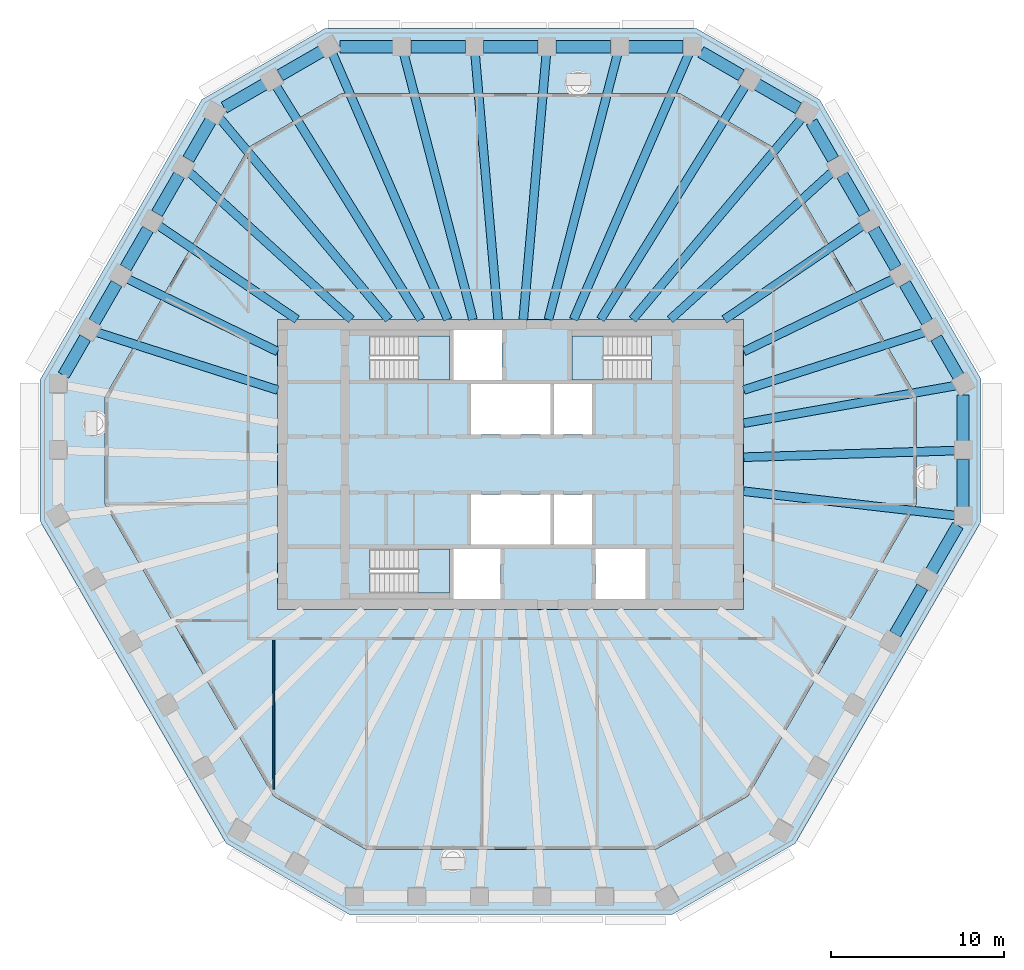
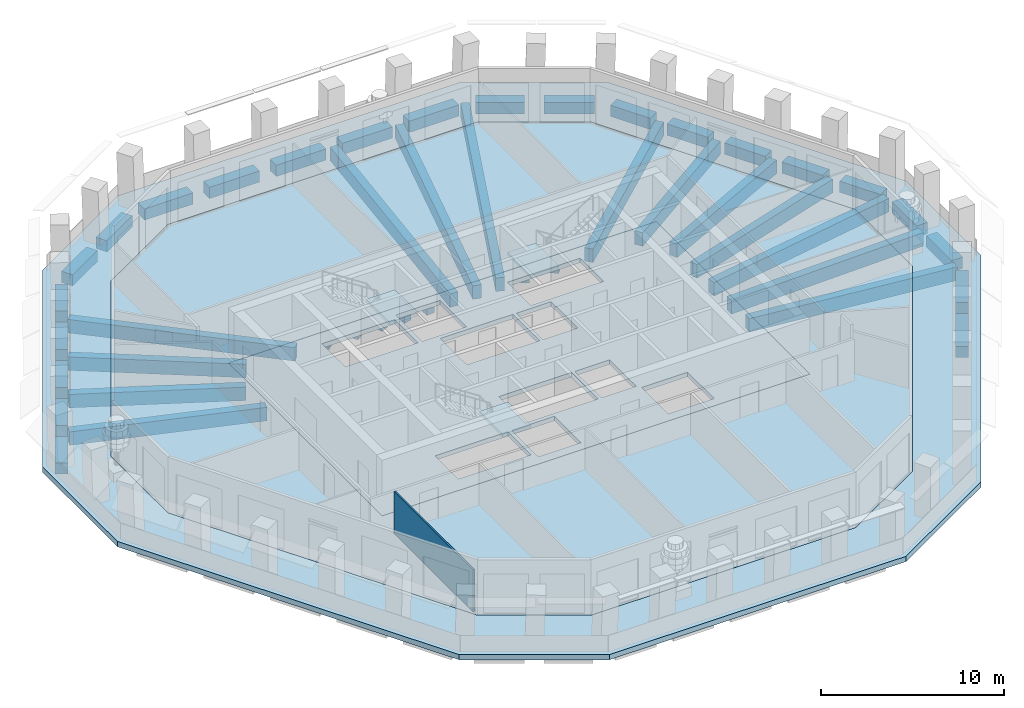
# One storey, part 2 of 12: 44 beams, 6 slabs, 1 wall, 3 elements without a shape of their own.
"""IFC4 building model written with IfcOpenShell, lengths in metres."""

from ifc_helpers import new_model, si_unit, direction, frame, frame_2d, origin, origin_2d, place, context, subcontext, project, spatial, polyline, rectangle, outline, extrude, material, layer, layer_set, material_profile, profile_set, type_object, element, aggregate, save


model = new_model("IFC4")

# Units and contexts
model_context = context("Model", 3, precision=1e-05, world=origin(), true_north=direction((0.0, 1.0)))
body_context = subcontext(model_context, "Body", "Model", "MODEL_VIEW")
ifc_project = project(units=[si_unit("LENGTHUNIT", "METRE"), si_unit("AREAUNIT", "SQUARE_METRE"), si_unit("VOLUMEUNIT", "CUBIC_METRE"), si_unit("PLANEANGLEUNIT", "RADIAN"), si_unit("MASSUNIT", "GRAM", prefix="KILO")], contexts=[model_context])

# Site, building, storey
site_placement = place(None, origin())
site = spatial("IfcSite", under=ifc_project, at=site_placement, CompositionType="ELEMENT")
building_placement = place(site_placement, origin())
building = spatial("IfcBuilding", under=site, at=building_placement, Name="Frailejon Research Tower", CompositionType="ELEMENT")
storey_placement = place(building_placement, frame((0.0, 0.0, 237.39990234375)))
storey = spatial("IfcBuildingStorey", under=building, at=storey_placement, Name="L51", CompositionType="ELEMENT", Elevation=237.39990234375)

# Beams
ifc_material_1 = material(Name="Concrete C60/75", Category="concrete")
ifc_material_profile_1 = material_profile(ifc_material_1, rectangle(XDim=0.5, YDim=0.89990234375, at=origin_2d()), Name="Girder 500x900")
ifc_profile_set_1 = profile_set([ifc_material_profile_1], Name="Concrete C60/75")
beam_type_1 = type_object("IfcBeamType", Name="Girder 500x900", PredefinedType="BEAM", material=ifc_profile_set_1)
beam_1_placement = place(storey_placement, frame((25.830078125, -2.96630859375, -0.75), z_axis=(-0.993470133057, 0.114092483204, 0.0), x_axis=(-0.114092483204, -0.993470133057, 0.0)))
element("IfcBeam", 1, at=beam_1_placement, inside=storey, type_object=beam_type_1, Name="Girder 500x900", PredefinedType="BEAM", context=body_context, shape_type="SweptSolid", body=[
    extrude(rectangle(XDim=0.5, YDim=0.89990234375, at=origin_2d()), origin(), (0.0, 0.0, 1.0), 12.4111328125),
])
beam_2_placement = place(storey_placement, frame((25.8310546875, 0.805419921875, -0.75), z_axis=(-0.999514158969, -0.031168028835, 0.0), x_axis=(0.031168028835, -0.999514158969, 0.0)))
element("IfcBeam", 2, at=beam_2_placement, inside=storey, type_object=beam_type_1, Name="Girder 500x900", PredefinedType="BEAM", context=body_context, shape_type="SweptSolid", body=[
    extrude(rectangle(XDim=0.5, YDim=0.89990234375, at=origin_2d()), origin(), (0.0, 0.0, 1.0), 12.337158203125),
])
beam_3_placement = place(storey_placement, frame((25.8037109375, 4.572509765625, -0.75), z_axis=(-0.98465761291, -0.17449752244, 0.0), x_axis=(0.17449752244, -0.98465761291, 0.0)))
element("IfcBeam", 3, at=beam_3_placement, inside=storey, type_object=beam_type_1, Name="Girder 500x900", PredefinedType="BEAM", context=body_context, shape_type="SweptSolid", body=[
    extrude(rectangle(XDim=0.5, YDim=0.89990234375, at=origin_2d()), origin(), (0.0, 0.0, 1.0), 12.495361328125),
])
beam_4_placement = place(storey_placement, frame((24.02099609375, 7.671875, -0.75), z_axis=(-0.952597753358, -0.304232674606, 0.0), x_axis=(0.304232674606, -0.952597753358, 0.0)))
element("IfcBeam", 4, at=beam_4_placement, inside=storey, type_object=beam_type_1, Name="Girder 500x900", PredefinedType="BEAM", context=body_context, shape_type="SweptSolid", body=[
    extrude(rectangle(XDim=0.5, YDim=0.89990234375, at=origin_2d()), origin(), (0.0, 0.0, 1.0), 11.04443359375),
])
beam_5_placement = place(storey_placement, frame((22.23486328125, 10.771484375, -0.75), z_axis=(-0.899961277235, -0.435969837807, 0.0), x_axis=(0.435969837807, -0.899961277235, 0.0)))
element("IfcBeam", 5, at=beam_5_placement, inside=storey, type_object=beam_type_1, Name="Girder 500x900", PredefinedType="BEAM", context=body_context, shape_type="SweptSolid", body=[
    extrude(rectangle(XDim=0.5, YDim=0.89990234375, at=origin_2d()), origin(), (0.0, 0.0, 1.0), 9.705810546875),
])
beam_6_placement = place(storey_placement, frame((20.44580078125, 13.8701171875, -0.75), z_axis=(-0.827543955161, -0.561400928283, 0.0), x_axis=(0.561400928283, -0.827543955161, 0.0)))
element("IfcBeam", 6, at=beam_6_placement, inside=storey, type_object=beam_type_1, Name="Girder 500x900", PredefinedType="BEAM", context=body_context, shape_type="SweptSolid", body=[
    extrude(rectangle(XDim=0.5, YDim=0.89990234375, at=origin_2d()), origin(), (0.0, 0.0, 1.0), 9.743896484375),
])
beam_7_placement = place(storey_placement, frame((18.654541015625, 16.966796875, -0.75), z_axis=(-0.73977519741, -0.672854112937, 0.0), x_axis=(0.672854112937, -0.73977519741, 0.0)))
element("IfcBeam", 7, at=beam_7_placement, inside=storey, type_object=beam_type_1, Name="Girder 500x900", PredefinedType="BEAM", context=body_context, shape_type="SweptSolid", body=[
    extrude(rectangle(XDim=0.5, YDim=0.89990234375, at=origin_2d()), origin(), (0.0, 0.0, 1.0), 12.732177734375),
])
beam_8_placement = place(storey_placement, frame((16.878173828125, 20.080078125, -0.75), z_axis=(-0.643433339789, -0.765502147122, 0.0), x_axis=(0.765502147122, -0.643433339789, 0.0)))
element("IfcBeam", 8, at=beam_8_placement, inside=storey, type_object=beam_type_1, Name="Girder 500x900", PredefinedType="BEAM", context=body_context, shape_type="SweptSolid", body=[
    extrude(rectangle(XDim=0.5, YDim=0.89990234375, at=origin_2d()), origin(), (0.0, 0.0, 1.0), 15.25830078125),
])
beam_9_placement = place(storey_placement, frame((13.613037109375, 21.967529296875, -0.75), z_axis=(-0.526748958113, -0.850020902759, 0.0), x_axis=(0.850020902759, -0.526748958113, 0.0)))
element("IfcBeam", 9, at=beam_9_placement, inside=storey, type_object=beam_type_1, Name="Girder 500x900", PredefinedType="BEAM", context=body_context, shape_type="SweptSolid", body=[
    extrude(rectangle(XDim=0.5, YDim=0.89990234375, at=origin_2d()), origin(), (0.0, 0.0, 1.0), 15.96142578125),
])
beam_10_placement = place(storey_placement, frame((10.32861328125, 23.8125, -0.75), z_axis=(-0.397933672024, -0.917414188178, 0.0), x_axis=(0.917414188178, -0.397933672024, 0.0)))
element("IfcBeam", 10, at=beam_10_placement, inside=storey, type_object=beam_type_1, Name="Girder 500x900", PredefinedType="BEAM", context=body_context, shape_type="SweptSolid", body=[
    extrude(rectangle(XDim=0.5, YDim=0.89990234375, at=origin_2d()), origin(), (0.0, 0.0, 1.0), 16.800048828125),
])
beam_11_placement = place(storey_placement, frame((6.19921875, 23.8203125, -0.75), z_axis=(-0.251861750481, -0.967763224474, 0.0), x_axis=(0.967763224474, -0.251861750481, 0.0)))
element("IfcBeam", 11, at=beam_11_placement, inside=storey, type_object=beam_type_1, Name="Girder 500x900", PredefinedType="BEAM", context=body_context, shape_type="SweptSolid", body=[
    extrude(rectangle(XDim=0.5, YDim=0.89990234375, at=origin_2d()), origin(), (0.0, 0.0, 1.0), 15.93408203125),
])
for number, where, z_axis, x_axis, name in (
    (12, (2.066650390625, 23.824462890625, -0.75), (-0.086413229186, -0.996259380795, 0.0), (0.996259380795, -0.086413229186, 0.0), "Girder 500x900"),
    (13, (-2.066650390625, 23.824462890625, -0.75), (0.086413229186, -0.996259380795, 0.0), (0.996259380795, 0.086413229186, 0.0), "Girder 500x900"),
):
    element("IfcBeam", number, at=place(storey_placement, frame(where, z_axis=z_axis, x_axis=x_axis)), inside=storey, type_object=beam_type_1, Name=name, PredefinedType="BEAM", context=body_context, shape_type="SweptSolid", body=[
        extrude(rectangle(XDim=0.5, YDim=0.89990234375, at=origin_2d()), origin(), (0.0, 0.0, 1.0), 15.482421875),
    ])
beam_12_placement = place(storey_placement, frame((-6.19921875, 23.8203125, -0.75), z_axis=(0.251861750481, -0.967763224474, 0.0), x_axis=(0.967763224474, 0.251861750481, 0.0)))
element("IfcBeam", 14, at=beam_12_placement, inside=storey, type_object=beam_type_1, Name="Girder 500x900", PredefinedType="BEAM", context=body_context, shape_type="SweptSolid", body=[
    extrude(rectangle(XDim=0.5, YDim=0.89990234375, at=origin_2d()), origin(), (0.0, 0.0, 1.0), 15.93408203125),
])
beam_13_placement = place(storey_placement, frame((-10.345947265625, 23.852783203125, -0.75), z_axis=(0.397926722207, -0.917417202669, 0.0), x_axis=(0.917417202669, 0.397926722207, 0.0)))
element("IfcBeam", 15, at=beam_13_placement, inside=storey, type_object=beam_type_1, Name="Girder 500x900", PredefinedType="BEAM", context=body_context, shape_type="SweptSolid", body=[
    extrude(rectangle(XDim=0.5, YDim=0.89990234375, at=origin_2d()), origin(), (0.0, 0.0, 1.0), 16.843994140625),
])
beam_14_placement = place(storey_placement, frame((-13.613037109375, 21.967529296875, -0.75), z_axis=(0.526748958113, -0.850020902759, 0.0), x_axis=(0.850020902759, 0.526748958113, 0.0)))
element("IfcBeam", 16, at=beam_14_placement, inside=storey, type_object=beam_type_1, Name="Girder 500x900", PredefinedType="BEAM", context=body_context, shape_type="SweptSolid", body=[
    extrude(rectangle(XDim=0.5, YDim=0.89990234375, at=origin_2d()), origin(), (0.0, 0.0, 1.0), 15.96142578125),
])
beam_15_placement = place(storey_placement, frame((-16.86181640625, 20.060546875, -0.75), z_axis=(0.643435622107, -0.765500228742, 0.0), x_axis=(0.765500228742, 0.643435622107, 0.0)))
element("IfcBeam", 17, at=beam_15_placement, inside=storey, type_object=beam_type_1, Name="Girder 500x900", PredefinedType="BEAM", context=body_context, shape_type="SweptSolid", body=[
    extrude(rectangle(XDim=0.5, YDim=0.89990234375, at=origin_2d()), origin(), (0.0, 0.0, 1.0), 15.232666015625),
])
beam_16_placement = place(storey_placement, frame((-18.654541015625, 16.966796875, -0.75), z_axis=(0.73977519741, -0.672854112937, 0.0), x_axis=(0.672854112937, 0.73977519741, 0.0)))
element("IfcBeam", 18, at=beam_16_placement, inside=storey, type_object=beam_type_1, Name="Girder 500x900", PredefinedType="BEAM", context=body_context, shape_type="SweptSolid", body=[
    extrude(rectangle(XDim=0.5, YDim=0.89990234375, at=origin_2d()), origin(), (0.0, 0.0, 1.0), 12.732177734375),
])
beam_17_placement = place(storey_placement, frame((-20.44580078125, 13.8701171875, -0.75), z_axis=(0.827543955161, -0.561400928283, 0.0), x_axis=(0.561400928283, 0.827543955161, 0.0)))
element("IfcBeam", 19, at=beam_17_placement, inside=storey, type_object=beam_type_1, Name="Girder 500x900", PredefinedType="BEAM", context=body_context, shape_type="SweptSolid", body=[
    extrude(rectangle(XDim=0.5, YDim=0.89990234375, at=origin_2d()), origin(), (0.0, 0.0, 1.0), 9.743896484375),
])
beam_18_placement = place(storey_placement, frame((-22.23486328125, 10.771484375, -0.75), z_axis=(0.899961277235, -0.435969837807, 0.0), x_axis=(0.435969837807, 0.899961277235, 0.0)))
element("IfcBeam", 20, at=beam_18_placement, inside=storey, type_object=beam_type_1, Name="Girder 500x900", PredefinedType="BEAM", context=body_context, shape_type="SweptSolid", body=[
    extrude(rectangle(XDim=0.5, YDim=0.89990234375, at=origin_2d()), origin(), (0.0, 0.0, 1.0), 9.705810546875),
])
beam_19_placement = place(storey_placement, frame((-24.02099609375, 7.671875, -0.75), z_axis=(0.952597753358, -0.304232674606, 0.0), x_axis=(0.304232674606, 0.952597753358, 0.0)))
element("IfcBeam", 21, at=beam_19_placement, inside=storey, type_object=beam_type_1, Name="Girder 500x900", PredefinedType="BEAM", context=body_context, shape_type="SweptSolid", body=[
    extrude(rectangle(XDim=0.5, YDim=0.89990234375, at=origin_2d()), origin(), (0.0, 0.0, 1.0), 11.04443359375),
])
ifc_material_2 = material(Name="Concrete C60/75", Category="concrete")
ifc_material_profile_2 = material_profile(ifc_material_2, rectangle(XDim=0.699951171875, YDim=0.75, at=origin_2d()), Name="Spandrel 700x750")
ifc_profile_set_2 = profile_set([ifc_material_profile_2], Name="Concrete C60/75")
beam_type_2 = type_object("IfcBeamType", Name="Spandrel 700x750", PredefinedType="BEAM", material=ifc_profile_set_2)
beam_20_placement = place(storey_placement, frame((26.2060546875, -2.484619140625, -0.724853515625), z_axis=(0.0, 1.0, 0.0), x_axis=(-1.0, 0.0, 0.0)))
element("IfcBeam", 22, at=beam_20_placement, inside=storey, type_object=beam_type_2, Name="Spandrel 700x750", PredefinedType="BEAM", context=body_context, shape_type="SweptSolid", body=[
    extrude(rectangle(XDim=0.699951171875, YDim=0.75, at=origin_2d()), origin(), (0.0, 0.0, 1.0), 2.776611328125),
])
beam_21_placement = place(storey_placement, frame((26.2060546875, 1.342041015625, -0.724853515625), z_axis=(0.0, 1.0, 0.0), x_axis=(-1.0, 0.0, 0.0)))
element("IfcBeam", 23, at=beam_21_placement, inside=storey, type_object=beam_type_2, Name="Spandrel 700x750", PredefinedType="BEAM", context=body_context, shape_type="SweptSolid", body=[
    extrude(rectangle(XDim=0.699951171875, YDim=0.75, at=origin_2d()), origin(), (0.0, 0.0, 1.0), 2.695556640625),
])
for number, where, z_axis, x_axis, name in (
    (24, (25.943603515625, 5.098388671875, -0.724853515625), (-0.499992497538, 0.86602973529, 0.0), (-0.86602973529, -0.499992497538, 0.0), "Spandrel 700x750"),
    (25, (24.12744140625, 8.244384765625, -0.724853515625), (-0.499992497538, 0.86602973529, 0.0), (-0.86602973529, -0.499992497538, 0.0), "Spandrel 700x750"),
):
    element("IfcBeam", number, at=place(storey_placement, frame(where, z_axis=z_axis, x_axis=x_axis)), inside=storey, type_object=beam_type_2, Name=name, PredefinedType="BEAM", context=body_context, shape_type="SweptSolid", body=[
        extrude(rectangle(XDim=0.699951171875, YDim=0.75, at=origin_2d()), origin(), (0.0, 0.0, 1.0), 2.58251953125),
    ])
beam_22_placement = place(storey_placement, frame((22.31103515625, 11.390380859375, -0.724853515625), z_axis=(-0.500033434522, 0.866006099494, 0.0), x_axis=(-0.866006099494, -0.500033434522, 0.0)))
element("IfcBeam", 26, at=beam_22_placement, inside=storey, type_object=beam_type_2, Name="Spandrel 700x750", PredefinedType="BEAM", context=body_context, shape_type="SweptSolid", body=[
    extrude(rectangle(XDim=0.699951171875, YDim=0.75, at=origin_2d()), origin(), (0.0, 0.0, 1.0), 2.582275390625),
])
beam_23_placement = place(storey_placement, frame((20.494873046875, 14.5361328125, -0.724853515625), z_axis=(-0.499992497538, 0.86602973529, 0.0), x_axis=(-0.86602973529, -0.499992497538, 0.0)))
element("IfcBeam", 27, at=beam_23_placement, inside=storey, type_object=beam_type_2, Name="Spandrel 700x750", PredefinedType="BEAM", context=body_context, shape_type="SweptSolid", body=[
    extrude(rectangle(XDim=0.699951171875, YDim=0.75, at=origin_2d()), origin(), (0.0, 0.0, 1.0), 2.58251953125),
])
beam_24_placement = place(storey_placement, frame((18.678466796875, 17.68212890625, -0.724853515625), z_axis=(-0.500012521841, 0.866018174175, 0.0), x_axis=(-0.866018174175, -0.500012521841, 0.0)))
element("IfcBeam", 28, at=beam_24_placement, inside=storey, type_object=beam_type_2, Name="Spandrel 700x750", PredefinedType="BEAM", context=body_context, shape_type="SweptSolid", body=[
    extrude(rectangle(XDim=0.699951171875, YDim=0.75, at=origin_2d()), origin(), (0.0, 0.0, 1.0), 2.50146484375),
])
beam_25_placement = place(storey_placement, frame((16.669921875, 20.6357421875, -0.724853515625), z_axis=(-0.865999619105, 0.500044657716, 0.0), x_axis=(-0.500044657716, -0.865999619105, 0.0)))
element("IfcBeam", 29, at=beam_25_placement, inside=storey, type_object=beam_type_2, Name="Spandrel 700x750", PredefinedType="BEAM", context=body_context, shape_type="SweptSolid", body=[
    extrude(rectangle(XDim=0.699951171875, YDim=0.75, at=origin_2d()), origin(), (0.0, 0.0, 1.0), 2.776611328125),
])
beam_26_placement = place(storey_placement, frame((13.35595703125, 22.549072265625, -0.724853515625), z_axis=(-0.866010629317, 0.500025589255, 0.0), x_axis=(-0.500025589255, -0.866010629317, 0.0)))
element("IfcBeam", 30, at=beam_26_placement, inside=storey, type_object=beam_type_2, Name="Spandrel 700x750", PredefinedType="BEAM", context=body_context, shape_type="SweptSolid", body=[
    extrude(rectangle(XDim=0.699951171875, YDim=0.75, at=origin_2d()), origin(), (0.0, 0.0, 1.0), 2.695556640625),
])
for number, where, z_axis, x_axis, name in (
    (31, (9.9716796875, 24.199951171875, -0.724853515625), (-1.0, 0.0, 0.0), (0.0, -1.0, 0.0), "Spandrel 700x750"),
    (32, (5.77294921875, 24.199951171875, -0.724853515625), (-1.0, 0.0, 0.0), (0.0, -1.0, 0.0), "Spandrel 700x750"),
):
    element("IfcBeam", number, at=place(storey_placement, frame(where, z_axis=z_axis, x_axis=x_axis)), inside=storey, type_object=beam_type_2, Name=name, PredefinedType="BEAM", context=body_context, shape_type="SweptSolid", body=[
        extrude(rectangle(XDim=0.699951171875, YDim=0.75, at=origin_2d()), origin(), (0.0, 0.0, 1.0), 3.148681640625),
    ])
beam_27_placement = place(storey_placement, frame((1.57421875, 24.199951171875, -0.724853515625), z_axis=(-1.0, 0.0, 0.0), x_axis=(0.0, -1.0, 0.0)))
element("IfcBeam", 33, at=beam_27_placement, inside=storey, type_object=beam_type_2, Name="Spandrel 700x750", PredefinedType="BEAM", context=body_context, shape_type="SweptSolid", body=[
    extrude(rectangle(XDim=0.699951171875, YDim=0.75, at=origin_2d()), origin(), (0.0, 0.0, 1.0), 3.1484375),
])
beam_28_placement = place(storey_placement, frame((-2.624267578125, 24.199951171875, -0.724853515625), z_axis=(-1.0, 0.0, 0.0), x_axis=(0.0, -1.0, 0.0)))
element("IfcBeam", 34, at=beam_28_placement, inside=storey, type_object=beam_type_2, Name="Spandrel 700x750", PredefinedType="BEAM", context=body_context, shape_type="SweptSolid", body=[
    extrude(rectangle(XDim=0.699951171875, YDim=0.75, at=origin_2d()), origin(), (0.0, 0.0, 1.0), 3.148681640625),
])
beam_29_placement = place(storey_placement, frame((-6.822998046875, 24.199951171875, -0.724853515625), z_axis=(-1.0, 0.0, 0.0), x_axis=(0.0, -1.0, 0.0)))
element("IfcBeam", 35, at=beam_29_placement, inside=storey, type_object=beam_type_2, Name="Spandrel 700x750", PredefinedType="BEAM", context=body_context, shape_type="SweptSolid", body=[
    extrude(rectangle(XDim=0.699951171875, YDim=0.75, at=origin_2d()), origin(), (0.0, 0.0, 1.0), 3.0673828125),
])
beam_30_placement = place(storey_placement, frame((-10.951416015625, 23.9375, -0.724853515625), z_axis=(-0.865999619105, -0.500044657716, 0.0), x_axis=(0.500044657716, -0.865999619105, 0.0)))
element("IfcBeam", 36, at=beam_30_placement, inside=storey, type_object=beam_type_2, Name="Spandrel 700x750", PredefinedType="BEAM", context=body_context, shape_type="SweptSolid", body=[
    extrude(rectangle(XDim=0.699951171875, YDim=0.75, at=origin_2d()), origin(), (0.0, 0.0, 1.0), 2.776611328125),
])
beam_31_placement = place(storey_placement, frame((-14.265380859375, 22.024169921875, -0.724853515625), z_axis=(-0.866027204995, -0.499996880198, 0.0), x_axis=(0.499996880198, -0.866027204995, 0.0)))
element("IfcBeam", 37, at=beam_31_placement, inside=storey, type_object=beam_type_2, Name="Spandrel 700x750", PredefinedType="BEAM", context=body_context, shape_type="SweptSolid", body=[
    extrude(rectangle(XDim=0.699951171875, YDim=0.75, at=origin_2d()), origin(), (0.0, 0.0, 1.0), 2.6953125),
])
for number, where, z_axis, x_axis, name in (
    (38, (-17.38720703125, 19.918701171875, -0.724853515625), (-0.499992497538, -0.86602973529, 0.0), (0.86602973529, -0.499992497538, 0.0), "Spandrel 700x750"),
    (39, (-19.20361328125, 16.772705078125, -0.724853515625), (-0.499992497538, -0.86602973529, 0.0), (0.86602973529, -0.499992497538, 0.0), "Spandrel 700x750"),
):
    element("IfcBeam", number, at=place(storey_placement, frame(where, z_axis=z_axis, x_axis=x_axis)), inside=storey, type_object=beam_type_2, Name=name, PredefinedType="BEAM", context=body_context, shape_type="SweptSolid", body=[
        extrude(rectangle(XDim=0.699951171875, YDim=0.75, at=origin_2d()), origin(), (0.0, 0.0, 1.0), 2.58251953125),
    ])
beam_32_placement = place(storey_placement, frame((-21.019775390625, 13.626708984375, -0.724853515625), z_axis=(-0.500033434522, -0.866006099494, 0.0), x_axis=(0.866006099494, -0.500033434522, 0.0)))
element("IfcBeam", 40, at=beam_32_placement, inside=storey, type_object=beam_type_2, Name="Spandrel 700x750", PredefinedType="BEAM", context=body_context, shape_type="SweptSolid", body=[
    extrude(rectangle(XDim=0.699951171875, YDim=0.75, at=origin_2d()), origin(), (0.0, 0.0, 1.0), 2.582275390625),
])
beam_33_placement = place(storey_placement, frame((-22.836181640625, 10.48095703125, -0.724853515625), z_axis=(-0.499992497538, -0.86602973529, 0.0), x_axis=(0.86602973529, -0.499992497538, 0.0)))
element("IfcBeam", 41, at=beam_33_placement, inside=storey, type_object=beam_type_2, Name="Spandrel 700x750", PredefinedType="BEAM", context=body_context, shape_type="SweptSolid", body=[
    extrude(rectangle(XDim=0.699951171875, YDim=0.75, at=origin_2d()), origin(), (0.0, 0.0, 1.0), 2.58251953125),
])
beam_34_placement = place(storey_placement, frame((-24.65234375, 7.3349609375, -0.724853515625), z_axis=(-0.500012521841, -0.866018174175, 0.0), x_axis=(0.866018174175, -0.500012521841, 0.0)))
element("IfcBeam", 42, at=beam_34_placement, inside=storey, type_object=beam_type_2, Name="Spandrel 700x750", PredefinedType="BEAM", context=body_context, shape_type="SweptSolid", body=[
    extrude(rectangle(XDim=0.699951171875, YDim=0.75, at=origin_2d()), origin(), (0.0, 0.0, 1.0), 2.50146484375),
])
beam_35_placement = place(storey_placement, frame((22.27001953125, -9.8271484375, -0.724853515625), z_axis=(0.500008851346, 0.866020293397, 0.0), x_axis=(-0.866020293397, 0.500008851346, 0.0)))
element("IfcBeam", 43, at=beam_35_placement, inside=storey, type_object=beam_type_2, Name="Spandrel 700x750", PredefinedType="BEAM", context=body_context, shape_type="SweptSolid", body=[
    extrude(rectangle(XDim=0.699951171875, YDim=0.75, at=origin_2d()), origin(), (0.0, 0.0, 1.0), 3.1484375),
])
beam_36_placement = place(storey_placement, frame((24.369384765625, -6.191162109375, -0.724853515625), z_axis=(0.499991148707, 0.866030514021, 0.0), x_axis=(-0.866030514021, 0.499991148707, 0.0)))
element("IfcBeam", 44, at=beam_36_placement, inside=storey, type_object=beam_type_2, Name="Spandrel 700x750", PredefinedType="BEAM", context=body_context, shape_type="SweptSolid", body=[
    extrude(rectangle(XDim=0.699951171875, YDim=0.75, at=origin_2d()), origin(), (0.0, 0.0, 1.0), 3.0673828125),
])

# Slabs
ifc_material_3 = material(Name="Concrete C60/75", Category="concrete")
ifc_layer_1 = layer(ifc_material_3, 0.300048828125)
ifc_layer_set_1 = layer_set([ifc_layer_1], Name="Core floor slab 300 C60/75")
slab_type_1 = type_object("IfcSlabType", Name="Core floor slab 300 C60/75", PredefinedType="FLOOR", material=ifc_layer_set_1)
slab_1_placement = place(storey_placement, frame((0.0, 0.0, -0.2998046875)))
element("IfcSlab", 45, at=slab_1_placement, inside=storey, type_object=slab_type_1, Name="Core floor slab", PredefinedType="FLOOR", context=body_context, shape_type="SweptSolid", body=[
    extrude(outline(polyline([(13.5, -8.39990234375), (13.5, 8.39990234375), (-13.5, 8.39990234375), (-13.5, -8.39990234375), (13.5, -8.39990234375)]), holes=[polyline([(2.300048828125, 1.75), (2.300048828125, 4.64990234375), (-2.300048828125, 4.64990234375), (-2.300048828125, 1.75), (2.300048828125, 1.75)]), polyline([(4.699951171875, 1.75), (4.699951171875, 4.64990234375), (2.5, 4.64990234375), (2.5, 1.75), (4.699951171875, 1.75)]), polyline([(2.300048828125, -4.64990234375), (2.300048828125, -1.75), (-2.300048828125, -1.75), (-2.300048828125, -4.64990234375), (2.300048828125, -4.64990234375)]), polyline([(4.699951171875, -4.64990234375), (4.699951171875, -1.75), (2.5, -1.75), (2.5, -4.64990234375), (4.699951171875, -4.64990234375)]), polyline([(-8.14697265625, 4.89990234375), (-3.550048828125, 4.89990234375), (-3.550048828125, 7.449951171875), (-8.14697265625, 7.449951171875), (-8.14697265625, 4.89990234375)]), polyline([(-8.14697265625, -7.449951171875), (-3.550048828125, -7.449951171875), (-3.550048828125, -4.89990234375), (-8.14697265625, -4.89990234375), (-8.14697265625, -7.449951171875)]), polyline([(8.14697265625, 7.449951171875), (3.550048828125, 7.449951171875), (3.550048828125, 4.89990234375), (8.14697265625, 4.89990234375), (8.14697265625, 7.449951171875)]), polyline([(-0.60009765625, -7.800048828125), (-0.60009765625, -4.89990234375), (-3.300048828125, -4.89990234375), (-3.300048828125, -7.800048828125), (-0.60009765625, -7.800048828125)]), polyline([(7.800048828125, -7.800048828125), (7.800048828125, -4.89990234375), (4.89990234375, -4.89990234375), (4.89990234375, -7.800048828125), (7.800048828125, -7.800048828125)]), polyline([(-0.5, 4.89990234375), (-0.5, 7.800048828125), (-3.300048828125, 7.800048828125), (-3.300048828125, 4.89990234375), (-0.5, 4.89990234375)])]), origin(), (0.0, 0.0, 1.0), 0.2998046875),
])
ifc_material_4 = material(Name="Concrete C40/50", Category="concrete")
ifc_layer_2 = layer(ifc_material_4, 0.35009765625)
ifc_layer_set_2 = layer_set([ifc_layer_2], Name="Loggia slab 350")
slab_type_2 = type_object("IfcSlabType", Name="Loggia slab 350", PredefinedType="USERDEFINED", material=ifc_layer_set_2)
slab_2_placement = place(storey_placement, frame((0.0, 0.0, -0.349853515625)))
element("IfcSlab", 46, at=slab_2_placement, inside=storey, type_object=slab_type_2, Name="Loggia slab L51", ObjectType="LOGGIA", PredefinedType="USERDEFINED", context=body_context, shape_type="SweptSolid", body=[
    extrude(outline(polyline([(16.47802734375, -21.958984375), (9.36279296875, -26.067138671875), (-9.36279296875, -26.067138671875), (-16.47802734375, -21.958984375), (-27.256103515625, -3.291015625), (-27.256103515625, 4.92529296875), (-17.893310546875, 21.141845703125), (-10.778076171875, 25.25), (10.778076171875, 25.25), (17.893310546875, 21.141845703125), (27.256103515625, 4.92529296875), (27.256103515625, -3.291015625), (16.47802734375, -21.958984375)]), holes=[polyline([(23.506103515625, 3.92041015625), (15.148193359375, 18.396728515625), (9.773193359375, 21.5), (-9.773193359375, 21.5), (-15.148193359375, 18.396728515625), (-23.506103515625, 3.92041015625), (-23.506103515625, -2.2861328125), (-13.73291015625, -19.2138671875), (-8.35791015625, -22.317138671875), (8.35791015625, -22.317138671875), (13.73291015625, -19.2138671875), (23.506103515625, -2.2861328125), (23.506103515625, 3.92041015625)])]), origin(), (0.0, 0.0, 1.0), 0.349853515625),
])
ifc_material_5 = material(Name="Concrete C40/50", Category="concrete")
ifc_layer_3 = layer(ifc_material_5, 0.300048828125)
ifc_layer_set_3 = layer_set([ifc_layer_3], Name="Slab typical 300")
slab_type_3 = type_object("IfcSlabType", Name="Slab typical 300", PredefinedType="FLOOR", material=ifc_layer_set_3)
slab_3_placement = place(storey_placement, frame((0.0, 0.0, -0.2998046875)))
element("IfcSlab", 47, at=slab_3_placement, inside=storey, type_object=slab_type_3, Name="Floor slab L51", PredefinedType="FLOOR", context=body_context, shape_type="SweptSolid", body=[
    extrude(outline(polyline([(23.506103515625, -2.2861328125), (23.506103515625, 3.92041015625), (15.148193359375, 18.396728515625), (9.773193359375, 21.5), (-9.773193359375, 21.5), (-15.148193359375, 18.396728515625), (-23.506103515625, 3.92041015625), (-23.506103515625, -2.2861328125), (-13.73291015625, -19.2138671875), (-8.35791015625, -22.317138671875), (8.35791015625, -22.317138671875), (13.73291015625, -19.2138671875), (23.506103515625, -2.2861328125)]), holes=[polyline([(13.5, -8.39990234375), (-13.5, -8.39990234375), (-13.5, 8.39990234375), (13.5, 8.39990234375), (13.5, -8.39990234375)])]), origin(), (0.0, 0.0, 1.0), 0.2998046875),
])

# Stair, slab
ifc_material_6 = material(Name="Concrete C50/60", Category="concrete")
stair_type = type_object("IfcStairType", Name="Exit stair 22 risers", PredefinedType="HALF_TURN_STAIR", material=ifc_material_6)
stair_1_placement = place(storey_placement, origin())
stair_1 = element("IfcStair", 48, at=stair_1_placement, inside=storey, type_object=stair_type, Name="L51 Exit stair ST1", PredefinedType="HALF_TURN_STAIR")
ifc_material_7 = material(Name="Concrete C50/60", Category="concrete")
ifc_layer_4 = layer(ifc_material_7, 0.199951171875)
ifc_layer_set_4 = layer_set([ifc_layer_4], Name="Stair landing slab 200")
slab_type_4 = type_object("IfcSlabType", Name="Stair landing slab 200", PredefinedType="LANDING", material=ifc_layer_set_4)
slab_4_placement = place(storey_placement, frame((0.0, 0.0, 1.800048828125)))
slab_4 = element("IfcSlab", 49, at=slab_4_placement, type_object=slab_type_4, Name="ST1 landing 1", PredefinedType="LANDING", context=body_context, shape_type="SweptSolid", body=[
    extrude(outline(polyline([(-5.35009765625, 4.89990234375), (-3.550048828125, 4.89990234375), (-3.550048828125, 7.449951171875), (-5.35009765625, 7.449951171875), (-5.35009765625, 4.89990234375)])), origin(), (0.0, 0.0, 1.0), 0.199951171875),
])
aggregate(stair_1, [slab_4])

stair_2_placement = place(storey_placement, origin())
stair_2 = element("IfcStair", 50, at=stair_2_placement, inside=storey, type_object=stair_type, Name="L51 Exit stair ST2", PredefinedType="HALF_TURN_STAIR")
slab_5_placement = place(storey_placement, frame((0.0, 0.0, 1.800048828125)))
slab_5 = element("IfcSlab", 51, at=slab_5_placement, type_object=slab_type_4, Name="ST2 landing 1", PredefinedType="LANDING", context=body_context, shape_type="SweptSolid", body=[
    extrude(outline(polyline([(-5.35009765625, -7.449951171875), (-3.550048828125, -7.449951171875), (-3.550048828125, -4.89990234375), (-5.35009765625, -4.89990234375), (-5.35009765625, -7.449951171875)])), origin(), (0.0, 0.0, 1.0), 0.199951171875),
])
aggregate(stair_2, [slab_5])

stair_3_placement = place(storey_placement, origin())
stair_3 = element("IfcStair", 52, at=stair_3_placement, inside=storey, type_object=stair_type, Name="L51 Exit stair ST3", PredefinedType="HALF_TURN_STAIR")
slab_6_placement = place(storey_placement, frame((0.0, 0.0, 1.800048828125)))
slab_6 = element("IfcSlab", 53, at=slab_6_placement, type_object=slab_type_4, Name="ST3 landing 1", PredefinedType="LANDING", context=body_context, shape_type="SweptSolid", body=[
    extrude(outline(polyline([(5.35009765625, 7.449951171875), (3.550048828125, 7.449951171875), (3.550048828125, 4.89990234375), (5.35009765625, 4.89990234375), (5.35009765625, 7.449951171875)])), origin(), (0.0, 0.0, 1.0), 0.199951171875),
])
aggregate(stair_3, [slab_6])

# Wall
ifc_material_8 = material(Name="Gypsum board and masonry partition", Category="masonry")
ifc_layer_5 = layer(ifc_material_8, 0.10009765625)
ifc_layer_set_5 = layer_set([ifc_layer_5], Name="Partition, gypsum on steel studs 100")
wall_type = type_object("IfcWallType", Name="Partition, gypsum on steel studs 100", PredefinedType="PARTITIONING", material=ifc_layer_set_5)
wall_placement = place(storey_placement, frame((-13.73291015625, -18.813720703125, 0.0), z_axis=(0.0, 0.0, 1.0), x_axis=(0.0, 1.0, 0.0)))
element("IfcWall", 54, at=wall_placement, inside=storey, type_object=wall_type, Name="T:IW:L51:021", PredefinedType="PARTITIONING", context=body_context, shape_type="SweptSolid", body=[
    extrude(rectangle(XDim=8.638671875, YDim=0.10009765625, at=frame_2d((4.3193359375, 0.0))), origin(), (0.0, 0.0, 1.0), 2.800048828125),
])

save(model, "model.ifc")
